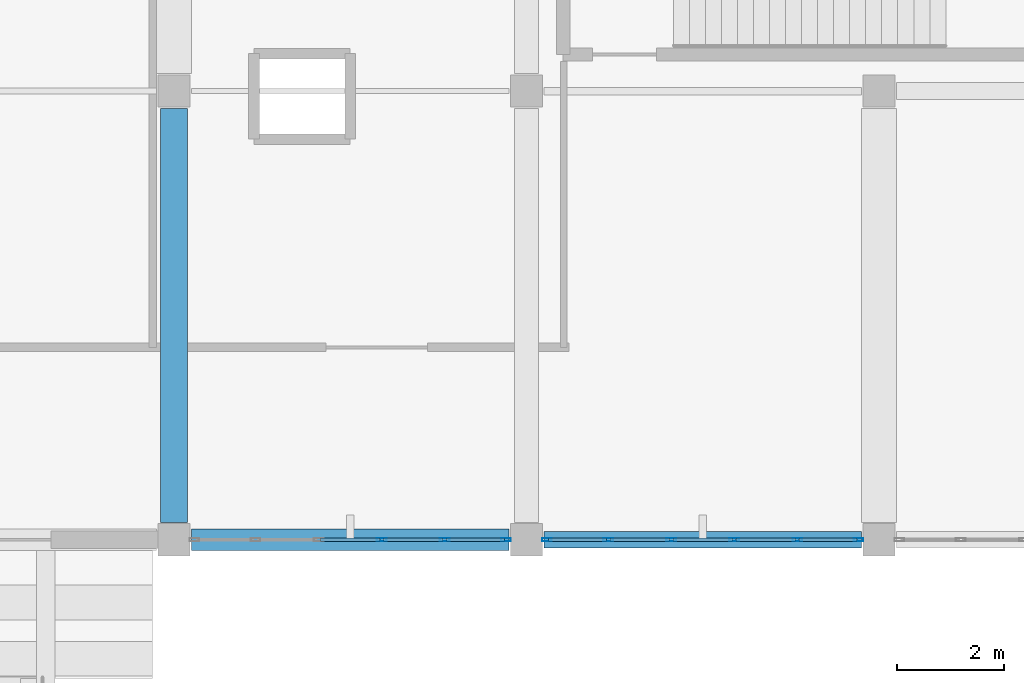
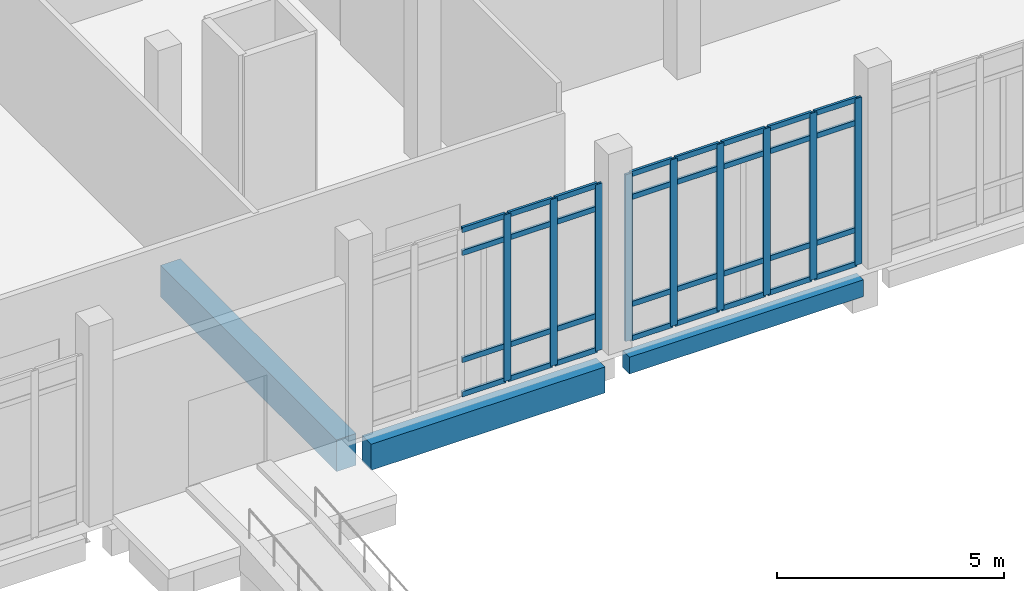
# One storey, part 63 of 110: 41 members, 3 beams, 2 elements without a shape of their own.
"""IFC4 building model written with IfcOpenShell, lengths in metres."""

from ifc_helpers import new_model, si_unit, direction, frame, origin, origin_2d, place, context, subcontext, project, spatial, rectangle, hollow_rectangle, extrude, material, material_profile, profile_set, type_object, element, aggregate, save


model = new_model("IFC4")

# Units and contexts
model_context = context("Model", 3, precision=1e-05, world=origin(), true_north=direction((0.0, 1.0)))
body_context = subcontext(model_context, "Body", "Model", "MODEL_VIEW")
ifc_project = project(units=[si_unit("LENGTHUNIT", "METRE"), si_unit("AREAUNIT", "SQUARE_METRE"), si_unit("VOLUMEUNIT", "CUBIC_METRE"), si_unit("PLANEANGLEUNIT", "RADIAN"), si_unit("MASSUNIT", "GRAM", prefix="KILO")], contexts=[model_context])

# Site, building, storey
site_placement = place(None, origin())
site = spatial("IfcSite", under=ifc_project, at=site_placement, CompositionType="ELEMENT")
building_placement = place(site_placement, origin())
building = spatial("IfcBuilding", under=site, at=building_placement, Name="Kalluvel Institute of Natural Sciences", CompositionType="ELEMENT")
storey_placement = place(building_placement, origin())
storey = spatial("IfcBuildingStorey", under=building, at=storey_placement, Name="L00", CompositionType="ELEMENT", Elevation=0.0)

# Beam
ifc_material_1 = material(Name="Concrete M50", Category="concrete")
ifc_material_profile_1 = material_profile(ifc_material_1, rectangle(XDim=0.5, YDim=0.85009765625, at=origin_2d()), Name="RCB 500x850")
ifc_profile_set_1 = profile_set([ifc_material_profile_1], Name="Concrete M50")
beam_type_1 = type_object("IfcBeamType", Name="BM-RC500x850", PredefinedType="BEAM", material=ifc_profile_set_1)
beam_1_placement = place(storey_placement, frame((142.39990234375, 103.125, -0.784912109375), z_axis=(0.0, 1.0, 0.0), x_axis=(-1.0, 0.0, 0.0)))
element("IfcBeam", 1, at=beam_1_placement, inside=storey, type_object=beam_type_1, Name="L00 girder GIR-L00-NS-X1424-Y1028", PredefinedType="BEAM", context=body_context, shape_type="SweptSolid", body=[
    extrude(rectangle(XDim=0.5, YDim=0.85009765625, at=origin_2d()), origin(), (0.0, 0.0, 1.0), 7.75),
])

# Curtain wall, members
ifc_material_2 = material(Name="Aluminium AW-6063 T6", Category="aluminium")
curtain_wall_type = type_object("IfcCurtainWallType", Name="CW-CLN-54", PredefinedType="USERDEFINED", material=ifc_material_2)
curtain_wall_1_placement = place(storey_placement, origin())
curtain_wall_1 = element("IfcCurtainWall", 2, at=curtain_wall_1_placement, inside=storey, type_object=curtain_wall_type, Name="L00 Gothic lancet curtain wall CWA-L00-X1428-Y1028", ObjectType="UNITISED LANCET FACADE", PredefinedType="USERDEFINED")
ifc_material_profile_2 = material_profile(ifc_material_2, hollow_rectangle(XDim=0.06494140625, YDim=0.179931640625, WallThickness=0.00439453125, at=origin_2d()), Name="CWM 65x180")
ifc_profile_set_2 = profile_set([ifc_material_profile_2], Name="Aluminium AW-6063 T6")
member_type_1 = type_object("IfcMemberType", Name="CWM-65x180", PredefinedType="MULLION", material=ifc_profile_set_2)
member_1_placement = place(storey_placement, frame((146.2900390625, 102.800048828125, 0.0), z_axis=(0.0, 0.0, 1.0), x_axis=(0.0, 1.0, 0.0)))
member_1 = element("IfcMember", 3, at=member_1_placement, type_object=member_type_1, Name="CW-09 mullion 4", PredefinedType="MULLION", context=body_context, shape_type="SweptSolid", body=[
    extrude(hollow_rectangle(XDim=0.06494140625, YDim=0.179931640625, WallThickness=0.00439453125, at=origin_2d()), origin(), (0.0, 0.0, 1.0), 4.47998046875),
])
member_2_placement = place(storey_placement, frame((147.469970703125, 102.800048828125, 0.0), z_axis=(0.0, 0.0, 1.0), x_axis=(0.0, 1.0, 0.0)))
member_2 = element("IfcMember", 4, at=member_2_placement, type_object=member_type_1, Name="CW-09 mullion 5", PredefinedType="MULLION", context=body_context, shape_type="SweptSolid", body=[
    extrude(hollow_rectangle(XDim=0.06494140625, YDim=0.179931640625, WallThickness=0.00439453125, at=origin_2d()), origin(), (0.0, 0.0, 1.0), 4.47998046875),
])
member_3_placement = place(storey_placement, frame((148.617431640625, 102.800048828125, 0.0), z_axis=(0.0, 0.0, 1.0), x_axis=(0.0, 1.0, 0.0)))
member_3 = element("IfcMember", 5, at=member_3_placement, type_object=member_type_1, Name="CW-09 mullion 6", PredefinedType="MULLION", context=body_context, shape_type="SweptSolid", body=[
    extrude(hollow_rectangle(XDim=0.06494140625, YDim=0.179931640625, WallThickness=0.00439453125, at=origin_2d()), origin(), (0.0, 0.0, 1.0), 4.47998046875),
])

curtain_wall_2_placement = place(storey_placement, origin())
curtain_wall_2 = element("IfcCurtainWall", 6, at=curtain_wall_2_placement, inside=storey, type_object=curtain_wall_type, Name="L00 Gothic lancet curtain wall CWA-L00-X1494-Y1028", ObjectType="UNITISED LANCET FACADE", PredefinedType="USERDEFINED")
member_4_placement = place(storey_placement, frame((149.382568359375, 102.800048828125, 0.0), z_axis=(0.0, 0.0, 1.0), x_axis=(0.0, 1.0, 0.0)))
member_4 = element("IfcMember", 7, at=member_4_placement, type_object=member_type_1, Name="CW-09 mullion 1", PredefinedType="MULLION", context=body_context, shape_type="SweptSolid", body=[
    extrude(hollow_rectangle(XDim=0.06494140625, YDim=0.179931640625, WallThickness=0.00439453125, at=origin_2d()), origin(), (0.0, 0.0, 1.0), 4.47998046875),
])
member_5_placement = place(storey_placement, frame((150.530029296875, 102.800048828125, 0.0), z_axis=(0.0, 0.0, 1.0), x_axis=(0.0, 1.0, 0.0)))
member_5 = element("IfcMember", 8, at=member_5_placement, type_object=member_type_1, Name="CW-09 mullion 2", PredefinedType="MULLION", context=body_context, shape_type="SweptSolid", body=[
    extrude(hollow_rectangle(XDim=0.06494140625, YDim=0.179931640625, WallThickness=0.00439453125, at=origin_2d()), origin(), (0.0, 0.0, 1.0), 4.47998046875),
])
member_6_placement = place(storey_placement, frame((151.7099609375, 102.800048828125, 0.0), z_axis=(0.0, 0.0, 1.0), x_axis=(0.0, 1.0, 0.0)))
member_6 = element("IfcMember", 9, at=member_6_placement, type_object=member_type_1, Name="CW-09 mullion 3", PredefinedType="MULLION", context=body_context, shape_type="SweptSolid", body=[
    extrude(hollow_rectangle(XDim=0.06494140625, YDim=0.179931640625, WallThickness=0.00439453125, at=origin_2d()), origin(), (0.0, 0.0, 1.0), 4.47998046875),
])
member_7_placement = place(storey_placement, frame((152.889892578125, 102.800048828125, 0.0), z_axis=(0.0, 0.0, 1.0), x_axis=(0.0, 1.0, 0.0)))
member_7 = element("IfcMember", 10, at=member_7_placement, type_object=member_type_1, Name="CW-09 mullion 4", PredefinedType="MULLION", context=body_context, shape_type="SweptSolid", body=[
    extrude(hollow_rectangle(XDim=0.06494140625, YDim=0.179931640625, WallThickness=0.00439453125, at=origin_2d()), origin(), (0.0, 0.0, 1.0), 4.47998046875),
])
member_8_placement = place(storey_placement, frame((154.070068359375, 102.800048828125, 0.0), z_axis=(0.0, 0.0, 1.0), x_axis=(0.0, 1.0, 0.0)))
member_8 = element("IfcMember", 11, at=member_8_placement, type_object=member_type_1, Name="CW-09 mullion 5", PredefinedType="MULLION", context=body_context, shape_type="SweptSolid", body=[
    extrude(hollow_rectangle(XDim=0.06494140625, YDim=0.179931640625, WallThickness=0.00439453125, at=origin_2d()), origin(), (0.0, 0.0, 1.0), 4.47998046875),
])
member_9_placement = place(storey_placement, frame((155.217529296875, 102.800048828125, 0.0), z_axis=(0.0, 0.0, 1.0), x_axis=(0.0, 1.0, 0.0)))
member_9 = element("IfcMember", 12, at=member_9_placement, type_object=member_type_1, Name="CW-09 mullion 6", PredefinedType="MULLION", context=body_context, shape_type="SweptSolid", body=[
    extrude(hollow_rectangle(XDim=0.06494140625, YDim=0.179931640625, WallThickness=0.00439453125, at=origin_2d()), origin(), (0.0, 0.0, 1.0), 4.47998046875),
])

# Member
ifc_material_profile_3 = material_profile(ifc_material_2, hollow_rectangle(XDim=0.06494140625, YDim=0.139892578125, WallThickness=0.00439453125, at=origin_2d()), Name="CWT 65x140")
ifc_profile_set_3 = profile_set([ifc_material_profile_3], Name="Aluminium AW-6063 T6")
member_type_2 = type_object("IfcMemberType", Name="CWT-65x140", PredefinedType="USERDEFINED", material=ifc_profile_set_3)
member_10_placement = place(storey_placement, frame((145.142578125, 102.800048828125, 0.032470703125), z_axis=(1.0, 0.0, 0.0), x_axis=(0.0, 1.0, 0.0)))
member_10 = element("IfcMember", 13, at=member_10_placement, type_object=member_type_2, Name="CW-09 transom 3.1", ObjectType="TRANSOM", PredefinedType="USERDEFINED", context=body_context, shape_type="SweptSolid", body=[
    extrude(hollow_rectangle(XDim=0.06494140625, YDim=0.139892578125, WallThickness=0.00439453125, at=origin_2d()), origin(), (0.0, 0.0, 1.0), 1.114990234375),
])

member_11_placement = place(storey_placement, frame((145.142578125, 102.800048828125, 0.949951171875), z_axis=(1.0, 0.0, 0.0), x_axis=(0.0, 1.0, 0.0)))
member_11 = element("IfcMember", 14, at=member_11_placement, type_object=member_type_2, Name="CW-09 transom 3.2", ObjectType="TRANSOM", PredefinedType="USERDEFINED", context=body_context, shape_type="SweptSolid", body=[
    extrude(hollow_rectangle(XDim=0.06494140625, YDim=0.139892578125, WallThickness=0.00439453125, at=origin_2d()), origin(), (0.0, 0.0, 1.0), 1.114990234375),
])

member_12_placement = place(storey_placement, frame((145.142578125, 102.800048828125, 3.830078125), z_axis=(1.0, 0.0, 0.0), x_axis=(0.0, 1.0, 0.0)))
member_12 = element("IfcMember", 15, at=member_12_placement, type_object=member_type_2, Name="CW-09 transom 3.3", ObjectType="TRANSOM", PredefinedType="USERDEFINED", context=body_context, shape_type="SweptSolid", body=[
    extrude(hollow_rectangle(XDim=0.06494140625, YDim=0.139892578125, WallThickness=0.00439453125, at=origin_2d()), origin(), (0.0, 0.0, 1.0), 1.114990234375),
])

member_13_placement = place(storey_placement, frame((145.142578125, 102.800048828125, 4.447509765625), z_axis=(1.0, 0.0, 0.0), x_axis=(0.0, 1.0, 0.0)))
member_13 = element("IfcMember", 16, at=member_13_placement, type_object=member_type_2, Name="CW-09 transom 3.4", ObjectType="TRANSOM", PredefinedType="USERDEFINED", context=body_context, shape_type="SweptSolid", body=[
    extrude(hollow_rectangle(XDim=0.06494140625, YDim=0.139892578125, WallThickness=0.00439453125, at=origin_2d()), origin(), (0.0, 0.0, 1.0), 1.114990234375),
])

member_14_placement = place(storey_placement, frame((146.322509765625, 102.800048828125, 0.032470703125), z_axis=(1.0, 0.0, 0.0), x_axis=(0.0, 1.0, 0.0)))
member_14 = element("IfcMember", 17, at=member_14_placement, type_object=member_type_2, Name="CW-09 transom 4.1", ObjectType="TRANSOM", PredefinedType="USERDEFINED", context=body_context, shape_type="SweptSolid", body=[
    extrude(hollow_rectangle(XDim=0.06494140625, YDim=0.139892578125, WallThickness=0.00439453125, at=origin_2d()), origin(), (0.0, 0.0, 1.0), 1.114990234375),
])

member_15_placement = place(storey_placement, frame((146.322509765625, 102.800048828125, 0.949951171875), z_axis=(1.0, 0.0, 0.0), x_axis=(0.0, 1.0, 0.0)))
member_15 = element("IfcMember", 18, at=member_15_placement, type_object=member_type_2, Name="CW-09 transom 4.2", ObjectType="TRANSOM", PredefinedType="USERDEFINED", context=body_context, shape_type="SweptSolid", body=[
    extrude(hollow_rectangle(XDim=0.06494140625, YDim=0.139892578125, WallThickness=0.00439453125, at=origin_2d()), origin(), (0.0, 0.0, 1.0), 1.114990234375),
])

member_16_placement = place(storey_placement, frame((146.322509765625, 102.800048828125, 3.830078125), z_axis=(1.0, 0.0, 0.0), x_axis=(0.0, 1.0, 0.0)))
member_16 = element("IfcMember", 19, at=member_16_placement, type_object=member_type_2, Name="CW-09 transom 4.3", ObjectType="TRANSOM", PredefinedType="USERDEFINED", context=body_context, shape_type="SweptSolid", body=[
    extrude(hollow_rectangle(XDim=0.06494140625, YDim=0.139892578125, WallThickness=0.00439453125, at=origin_2d()), origin(), (0.0, 0.0, 1.0), 1.114990234375),
])

member_17_placement = place(storey_placement, frame((146.322509765625, 102.800048828125, 4.447509765625), z_axis=(1.0, 0.0, 0.0), x_axis=(0.0, 1.0, 0.0)))
member_17 = element("IfcMember", 20, at=member_17_placement, type_object=member_type_2, Name="CW-09 transom 4.4", ObjectType="TRANSOM", PredefinedType="USERDEFINED", context=body_context, shape_type="SweptSolid", body=[
    extrude(hollow_rectangle(XDim=0.06494140625, YDim=0.139892578125, WallThickness=0.00439453125, at=origin_2d()), origin(), (0.0, 0.0, 1.0), 1.114990234375),
])

member_18_placement = place(storey_placement, frame((147.50244140625, 102.800048828125, 0.032470703125), z_axis=(1.0, 0.0, 0.0), x_axis=(0.0, 1.0, 0.0)))
member_18 = element("IfcMember", 21, at=member_18_placement, type_object=member_type_2, Name="CW-09 transom 5.1", ObjectType="TRANSOM", PredefinedType="USERDEFINED", context=body_context, shape_type="SweptSolid", body=[
    extrude(hollow_rectangle(XDim=0.06494140625, YDim=0.139892578125, WallThickness=0.00439453125, at=origin_2d()), origin(), (0.0, 0.0, 1.0), 1.08251953125),
])

member_19_placement = place(storey_placement, frame((147.50244140625, 102.800048828125, 0.949951171875), z_axis=(1.0, 0.0, 0.0), x_axis=(0.0, 1.0, 0.0)))
member_19 = element("IfcMember", 22, at=member_19_placement, type_object=member_type_2, Name="CW-09 transom 5.2", ObjectType="TRANSOM", PredefinedType="USERDEFINED", context=body_context, shape_type="SweptSolid", body=[
    extrude(hollow_rectangle(XDim=0.06494140625, YDim=0.139892578125, WallThickness=0.00439453125, at=origin_2d()), origin(), (0.0, 0.0, 1.0), 1.08251953125),
])

member_20_placement = place(storey_placement, frame((147.50244140625, 102.800048828125, 3.830078125), z_axis=(1.0, 0.0, 0.0), x_axis=(0.0, 1.0, 0.0)))
member_20 = element("IfcMember", 23, at=member_20_placement, type_object=member_type_2, Name="CW-09 transom 5.3", ObjectType="TRANSOM", PredefinedType="USERDEFINED", context=body_context, shape_type="SweptSolid", body=[
    extrude(hollow_rectangle(XDim=0.06494140625, YDim=0.139892578125, WallThickness=0.00439453125, at=origin_2d()), origin(), (0.0, 0.0, 1.0), 1.08251953125),
])

member_21_placement = place(storey_placement, frame((147.50244140625, 102.800048828125, 4.447509765625), z_axis=(1.0, 0.0, 0.0), x_axis=(0.0, 1.0, 0.0)))
member_21 = element("IfcMember", 24, at=member_21_placement, type_object=member_type_2, Name="CW-09 transom 5.4", ObjectType="TRANSOM", PredefinedType="USERDEFINED", context=body_context, shape_type="SweptSolid", body=[
    extrude(hollow_rectangle(XDim=0.06494140625, YDim=0.139892578125, WallThickness=0.00439453125, at=origin_2d()), origin(), (0.0, 0.0, 1.0), 1.08251953125),
])

aggregate(curtain_wall_1, [member_1, member_2, member_3, member_10, member_11, member_12, member_13, member_14, member_15, member_16, member_17, member_18, member_19, member_20, member_21])

member_22_placement = place(storey_placement, frame((149.4150390625, 102.800048828125, 0.032470703125), z_axis=(1.0, 0.0, 0.0), x_axis=(0.0, 1.0, 0.0)))
member_22 = element("IfcMember", 25, at=member_22_placement, type_object=member_type_2, Name="CW-09 transom 1.1", ObjectType="TRANSOM", PredefinedType="USERDEFINED", context=body_context, shape_type="SweptSolid", body=[
    extrude(hollow_rectangle(XDim=0.06494140625, YDim=0.139892578125, WallThickness=0.00439453125, at=origin_2d()), origin(), (0.0, 0.0, 1.0), 1.08251953125),
])

member_23_placement = place(storey_placement, frame((149.4150390625, 102.800048828125, 0.949951171875), z_axis=(1.0, 0.0, 0.0), x_axis=(0.0, 1.0, 0.0)))
member_23 = element("IfcMember", 26, at=member_23_placement, type_object=member_type_2, Name="CW-09 transom 1.2", ObjectType="TRANSOM", PredefinedType="USERDEFINED", context=body_context, shape_type="SweptSolid", body=[
    extrude(hollow_rectangle(XDim=0.06494140625, YDim=0.139892578125, WallThickness=0.00439453125, at=origin_2d()), origin(), (0.0, 0.0, 1.0), 1.08251953125),
])

member_24_placement = place(storey_placement, frame((149.4150390625, 102.800048828125, 3.830078125), z_axis=(1.0, 0.0, 0.0), x_axis=(0.0, 1.0, 0.0)))
member_24 = element("IfcMember", 27, at=member_24_placement, type_object=member_type_2, Name="CW-09 transom 1.3", ObjectType="TRANSOM", PredefinedType="USERDEFINED", context=body_context, shape_type="SweptSolid", body=[
    extrude(hollow_rectangle(XDim=0.06494140625, YDim=0.139892578125, WallThickness=0.00439453125, at=origin_2d()), origin(), (0.0, 0.0, 1.0), 1.08251953125),
])

member_25_placement = place(storey_placement, frame((149.4150390625, 102.800048828125, 4.447509765625), z_axis=(1.0, 0.0, 0.0), x_axis=(0.0, 1.0, 0.0)))
member_25 = element("IfcMember", 28, at=member_25_placement, type_object=member_type_2, Name="CW-09 transom 1.4", ObjectType="TRANSOM", PredefinedType="USERDEFINED", context=body_context, shape_type="SweptSolid", body=[
    extrude(hollow_rectangle(XDim=0.06494140625, YDim=0.139892578125, WallThickness=0.00439453125, at=origin_2d()), origin(), (0.0, 0.0, 1.0), 1.08251953125),
])

member_26_placement = place(storey_placement, frame((150.5625, 102.800048828125, 0.032470703125), z_axis=(1.0, 0.0, 0.0), x_axis=(0.0, 1.0, 0.0)))
member_26 = element("IfcMember", 29, at=member_26_placement, type_object=member_type_2, Name="CW-09 transom 2.1", ObjectType="TRANSOM", PredefinedType="USERDEFINED", context=body_context, shape_type="SweptSolid", body=[
    extrude(hollow_rectangle(XDim=0.06494140625, YDim=0.139892578125, WallThickness=0.00439453125, at=origin_2d()), origin(), (0.0, 0.0, 1.0), 1.114990234375),
])

member_27_placement = place(storey_placement, frame((150.5625, 102.800048828125, 0.949951171875), z_axis=(1.0, 0.0, 0.0), x_axis=(0.0, 1.0, 0.0)))
member_27 = element("IfcMember", 30, at=member_27_placement, type_object=member_type_2, Name="CW-09 transom 2.2", ObjectType="TRANSOM", PredefinedType="USERDEFINED", context=body_context, shape_type="SweptSolid", body=[
    extrude(hollow_rectangle(XDim=0.06494140625, YDim=0.139892578125, WallThickness=0.00439453125, at=origin_2d()), origin(), (0.0, 0.0, 1.0), 1.114990234375),
])

member_28_placement = place(storey_placement, frame((150.5625, 102.800048828125, 3.830078125), z_axis=(1.0, 0.0, 0.0), x_axis=(0.0, 1.0, 0.0)))
member_28 = element("IfcMember", 31, at=member_28_placement, type_object=member_type_2, Name="CW-09 transom 2.3", ObjectType="TRANSOM", PredefinedType="USERDEFINED", context=body_context, shape_type="SweptSolid", body=[
    extrude(hollow_rectangle(XDim=0.06494140625, YDim=0.139892578125, WallThickness=0.00439453125, at=origin_2d()), origin(), (0.0, 0.0, 1.0), 1.114990234375),
])

member_29_placement = place(storey_placement, frame((150.5625, 102.800048828125, 4.447509765625), z_axis=(1.0, 0.0, 0.0), x_axis=(0.0, 1.0, 0.0)))
member_29 = element("IfcMember", 32, at=member_29_placement, type_object=member_type_2, Name="CW-09 transom 2.4", ObjectType="TRANSOM", PredefinedType="USERDEFINED", context=body_context, shape_type="SweptSolid", body=[
    extrude(hollow_rectangle(XDim=0.06494140625, YDim=0.139892578125, WallThickness=0.00439453125, at=origin_2d()), origin(), (0.0, 0.0, 1.0), 1.114990234375),
])

member_30_placement = place(storey_placement, frame((151.742431640625, 102.800048828125, 0.032470703125), z_axis=(1.0, 0.0, 0.0), x_axis=(0.0, 1.0, 0.0)))
member_30 = element("IfcMember", 33, at=member_30_placement, type_object=member_type_2, Name="CW-09 transom 3.1", ObjectType="TRANSOM", PredefinedType="USERDEFINED", context=body_context, shape_type="SweptSolid", body=[
    extrude(hollow_rectangle(XDim=0.06494140625, YDim=0.139892578125, WallThickness=0.00439453125, at=origin_2d()), origin(), (0.0, 0.0, 1.0), 1.114990234375),
])

member_31_placement = place(storey_placement, frame((151.742431640625, 102.800048828125, 0.949951171875), z_axis=(1.0, 0.0, 0.0), x_axis=(0.0, 1.0, 0.0)))
member_31 = element("IfcMember", 34, at=member_31_placement, type_object=member_type_2, Name="CW-09 transom 3.2", ObjectType="TRANSOM", PredefinedType="USERDEFINED", context=body_context, shape_type="SweptSolid", body=[
    extrude(hollow_rectangle(XDim=0.06494140625, YDim=0.139892578125, WallThickness=0.00439453125, at=origin_2d()), origin(), (0.0, 0.0, 1.0), 1.114990234375),
])

member_32_placement = place(storey_placement, frame((151.742431640625, 102.800048828125, 3.830078125), z_axis=(1.0, 0.0, 0.0), x_axis=(0.0, 1.0, 0.0)))
member_32 = element("IfcMember", 35, at=member_32_placement, type_object=member_type_2, Name="CW-09 transom 3.3", ObjectType="TRANSOM", PredefinedType="USERDEFINED", context=body_context, shape_type="SweptSolid", body=[
    extrude(hollow_rectangle(XDim=0.06494140625, YDim=0.139892578125, WallThickness=0.00439453125, at=origin_2d()), origin(), (0.0, 0.0, 1.0), 1.114990234375),
])

member_33_placement = place(storey_placement, frame((151.742431640625, 102.800048828125, 4.447509765625), z_axis=(1.0, 0.0, 0.0), x_axis=(0.0, 1.0, 0.0)))
member_33 = element("IfcMember", 36, at=member_33_placement, type_object=member_type_2, Name="CW-09 transom 3.4", ObjectType="TRANSOM", PredefinedType="USERDEFINED", context=body_context, shape_type="SweptSolid", body=[
    extrude(hollow_rectangle(XDim=0.06494140625, YDim=0.139892578125, WallThickness=0.00439453125, at=origin_2d()), origin(), (0.0, 0.0, 1.0), 1.114990234375),
])

member_34_placement = place(storey_placement, frame((152.922607421875, 102.800048828125, 0.032470703125), z_axis=(1.0, 0.0, 0.0), x_axis=(0.0, 1.0, 0.0)))
member_34 = element("IfcMember", 37, at=member_34_placement, type_object=member_type_2, Name="CW-09 transom 4.1", ObjectType="TRANSOM", PredefinedType="USERDEFINED", context=body_context, shape_type="SweptSolid", body=[
    extrude(hollow_rectangle(XDim=0.06494140625, YDim=0.139892578125, WallThickness=0.00439453125, at=origin_2d()), origin(), (0.0, 0.0, 1.0), 1.114990234375),
])

member_35_placement = place(storey_placement, frame((152.922607421875, 102.800048828125, 0.949951171875), z_axis=(1.0, 0.0, 0.0), x_axis=(0.0, 1.0, 0.0)))
member_35 = element("IfcMember", 38, at=member_35_placement, type_object=member_type_2, Name="CW-09 transom 4.2", ObjectType="TRANSOM", PredefinedType="USERDEFINED", context=body_context, shape_type="SweptSolid", body=[
    extrude(hollow_rectangle(XDim=0.06494140625, YDim=0.139892578125, WallThickness=0.00439453125, at=origin_2d()), origin(), (0.0, 0.0, 1.0), 1.114990234375),
])

member_36_placement = place(storey_placement, frame((152.922607421875, 102.800048828125, 3.830078125), z_axis=(1.0, 0.0, 0.0), x_axis=(0.0, 1.0, 0.0)))
member_36 = element("IfcMember", 39, at=member_36_placement, type_object=member_type_2, Name="CW-09 transom 4.3", ObjectType="TRANSOM", PredefinedType="USERDEFINED", context=body_context, shape_type="SweptSolid", body=[
    extrude(hollow_rectangle(XDim=0.06494140625, YDim=0.139892578125, WallThickness=0.00439453125, at=origin_2d()), origin(), (0.0, 0.0, 1.0), 1.114990234375),
])

member_37_placement = place(storey_placement, frame((152.922607421875, 102.800048828125, 4.447509765625), z_axis=(1.0, 0.0, 0.0), x_axis=(0.0, 1.0, 0.0)))
member_37 = element("IfcMember", 40, at=member_37_placement, type_object=member_type_2, Name="CW-09 transom 4.4", ObjectType="TRANSOM", PredefinedType="USERDEFINED", context=body_context, shape_type="SweptSolid", body=[
    extrude(hollow_rectangle(XDim=0.06494140625, YDim=0.139892578125, WallThickness=0.00439453125, at=origin_2d()), origin(), (0.0, 0.0, 1.0), 1.114990234375),
])

member_38_placement = place(storey_placement, frame((154.1025390625, 102.800048828125, 0.032470703125), z_axis=(1.0, 0.0, 0.0), x_axis=(0.0, 1.0, 0.0)))
member_38 = element("IfcMember", 41, at=member_38_placement, type_object=member_type_2, Name="CW-09 transom 5.1", ObjectType="TRANSOM", PredefinedType="USERDEFINED", context=body_context, shape_type="SweptSolid", body=[
    extrude(hollow_rectangle(XDim=0.06494140625, YDim=0.139892578125, WallThickness=0.00439453125, at=origin_2d()), origin(), (0.0, 0.0, 1.0), 1.08251953125),
])

member_39_placement = place(storey_placement, frame((154.1025390625, 102.800048828125, 0.949951171875), z_axis=(1.0, 0.0, 0.0), x_axis=(0.0, 1.0, 0.0)))
member_39 = element("IfcMember", 42, at=member_39_placement, type_object=member_type_2, Name="CW-09 transom 5.2", ObjectType="TRANSOM", PredefinedType="USERDEFINED", context=body_context, shape_type="SweptSolid", body=[
    extrude(hollow_rectangle(XDim=0.06494140625, YDim=0.139892578125, WallThickness=0.00439453125, at=origin_2d()), origin(), (0.0, 0.0, 1.0), 1.08251953125),
])

member_40_placement = place(storey_placement, frame((154.1025390625, 102.800048828125, 3.830078125), z_axis=(1.0, 0.0, 0.0), x_axis=(0.0, 1.0, 0.0)))
member_40 = element("IfcMember", 43, at=member_40_placement, type_object=member_type_2, Name="CW-09 transom 5.3", ObjectType="TRANSOM", PredefinedType="USERDEFINED", context=body_context, shape_type="SweptSolid", body=[
    extrude(hollow_rectangle(XDim=0.06494140625, YDim=0.139892578125, WallThickness=0.00439453125, at=origin_2d()), origin(), (0.0, 0.0, 1.0), 1.08251953125),
])

member_41_placement = place(storey_placement, frame((154.1025390625, 102.800048828125, 4.447509765625), z_axis=(1.0, 0.0, 0.0), x_axis=(0.0, 1.0, 0.0)))
member_41 = element("IfcMember", 44, at=member_41_placement, type_object=member_type_2, Name="CW-09 transom 5.4", ObjectType="TRANSOM", PredefinedType="USERDEFINED", context=body_context, shape_type="SweptSolid", body=[
    extrude(hollow_rectangle(XDim=0.06494140625, YDim=0.139892578125, WallThickness=0.00439453125, at=origin_2d()), origin(), (0.0, 0.0, 1.0), 1.08251953125),
])

aggregate(curtain_wall_2, [member_4, member_5, member_6, member_7, member_8, member_9, member_22, member_23, member_24, member_25, member_26, member_27, member_28, member_29, member_30, member_31, member_32, member_33, member_34, member_35, member_36, member_37, member_38, member_39, member_40, member_41])

# Beams
ifc_material_3 = material(Name="Concrete M40", Category="concrete")
ifc_material_profile_4 = material_profile(ifc_material_3, rectangle(XDim=0.300048828125, YDim=0.449951171875, at=origin_2d()), Name="RCB 300x450")
ifc_profile_set_4 = profile_set([ifc_material_profile_4], Name="Concrete M40")
beam_type_2 = type_object("IfcBeamType", Name="SP-RC300x450", PredefinedType="SPANDREL", material=ifc_profile_set_4)
beam_2_placement = place(storey_placement, frame((149.324951171875, 102.800048828125, -0.5849609375), z_axis=(1.0, 0.0, 0.0), x_axis=(0.0, 1.0, 0.0)))
element("IfcBeam", 45, at=beam_2_placement, inside=storey, type_object=beam_type_2, Name="L00 girder GIR-L00-EW-X1490-Y1028", PredefinedType="SPANDREL", context=body_context, shape_type="SweptSolid", body=[
    extrude(rectangle(XDim=0.300048828125, YDim=0.449951171875, at=origin_2d()), origin(), (0.0, 0.0, 1.0), 5.949951171875),
])
ifc_material_profile_5 = material_profile(ifc_material_3, rectangle(XDim=0.39990234375, YDim=0.699951171875, at=origin_2d()), Name="RCB 400x700")
ifc_profile_set_5 = profile_set([ifc_material_profile_5], Name="Concrete M40")
beam_type_3 = type_object("IfcBeamType", Name="SP-RC400x700", PredefinedType="SPANDREL", material=ifc_profile_set_5)
beam_3_placement = place(storey_placement, frame((142.72509765625, 102.800048828125, -0.7099609375), z_axis=(1.0, 0.0, 0.0), x_axis=(0.0, 1.0, 0.0)))
element("IfcBeam", 46, at=beam_3_placement, inside=storey, type_object=beam_type_3, Name="L00 girder GIR-L00-EW-X1424-Y1028", PredefinedType="SPANDREL", context=body_context, shape_type="SweptSolid", body=[
    extrude(rectangle(XDim=0.39990234375, YDim=0.699951171875, at=origin_2d()), origin(), (0.0, 0.0, 1.0), 5.949951171875),
])

save(model, "model.ifc")
